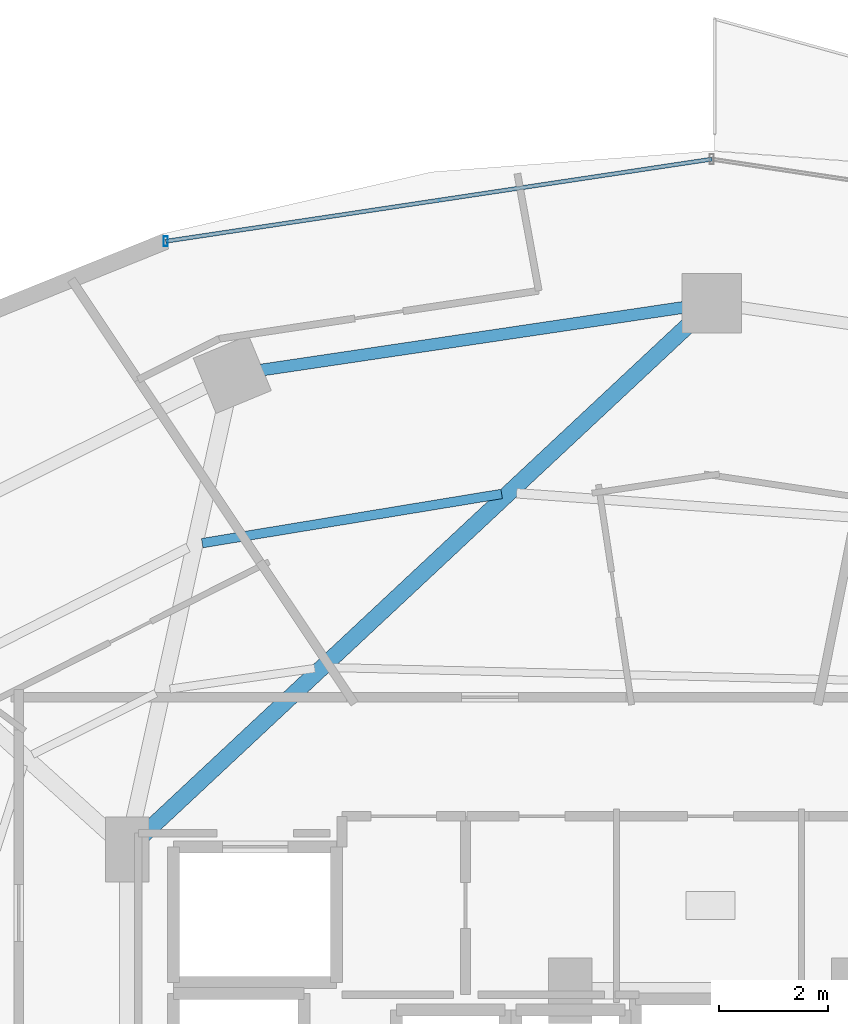
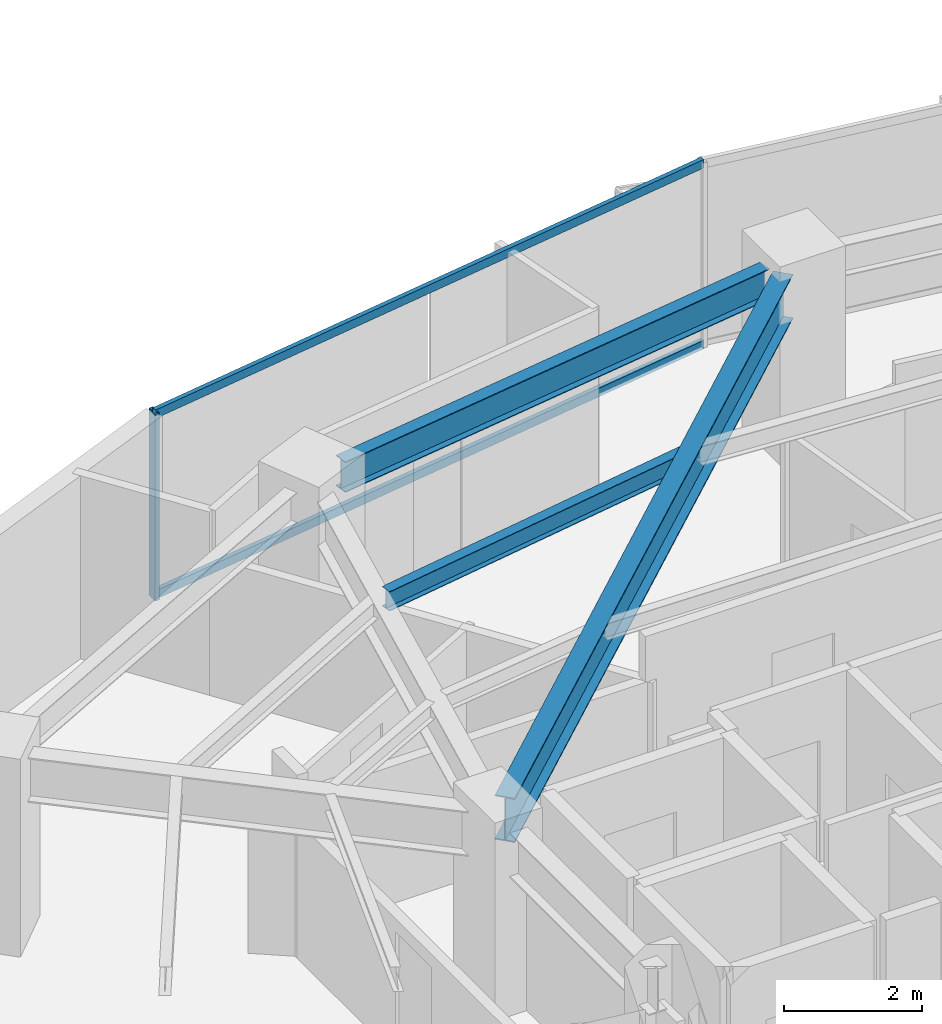
# One storey, part 18 of 29: 3 beams, 3 members, 1 element without a shape of its own.
"""IFC4 building model written with IfcOpenShell, lengths in metres."""

from ifc_helpers import new_model, si_unit, direction, frame, origin, origin_2d, place, context, subcontext, project, spatial, hollow_rectangle, i_section, extrude, material, material_profile, profile_set, type_object, element, aggregate, save


model = new_model("IFC4")

# Units and contexts
model_context = context("Model", 3, precision=1e-05, world=origin(), true_north=direction((0.0, 1.0)))
body_context = subcontext(model_context, "Body", "Model", "MODEL_VIEW")
ifc_project = project(units=[si_unit("LENGTHUNIT", "METRE"), si_unit("AREAUNIT", "SQUARE_METRE"), si_unit("VOLUMEUNIT", "CUBIC_METRE"), si_unit("PLANEANGLEUNIT", "RADIAN"), si_unit("MASSUNIT", "GRAM", prefix="KILO")], contexts=[model_context])

# Site, building, storey
site_placement = place(None, origin())
site = spatial("IfcSite", under=ifc_project, at=site_placement, CompositionType="ELEMENT")
building_placement = place(site_placement, origin())
building = spatial("IfcBuilding", under=site, at=building_placement, Name="Vorneva Point Tower", CompositionType="ELEMENT")
storey_placement = place(building_placement, frame((0.0, 0.0, 82.300048828125)))
storey = spatial("IfcBuildingStorey", under=building, at=storey_placement, Name="L21", CompositionType="ELEMENT", Elevation=82.300048828125)

# Beams
ifc_material_1 = material(Name="Steel S355", Category="steel")
ifc_material_profile_1 = material_profile(ifc_material_1, i_section(OverallWidth=0.300048828125, OverallDepth=0.7880859375, WebThickness=0.014404296875, FlangeThickness=0.02197265625, at=origin_2d()), Name="80Sh1")
ifc_profile_set_1 = profile_set([ifc_material_profile_1], Name="Steel S355")
beam_type_1 = type_object("IfcBeamType", Name="BM-GRD-80Sh1", PredefinedType="USERDEFINED", material=ifc_profile_set_1)
beam_1_placement = place(storey_placement, frame((37.60693359375, 42.83251953125, 2.845947265625), z_axis=(-0.730488863256, -0.682924608327, 0.0), x_axis=(0.682924608327, -0.730488863256, 0.0)))
element("IfcBeam", 1, at=beam_1_placement, inside=storey, type_object=beam_type_1, Name="L21 Radial Primary Girder 05", ObjectType="GIRDER", PredefinedType="USERDEFINED", context=body_context, shape_type="SweptSolid", body=[
    extrude(i_section(OverallWidth=0.300048828125, OverallDepth=0.7880859375, WebThickness=0.014404296875, FlangeThickness=0.02197265625, at=origin_2d()), origin(), (0.0, 0.0, 1.0), 13.838134765625),
])
ifc_material_profile_2 = material_profile(ifc_material_1, i_section(OverallWidth=0.174072265625, OverallDepth=0.345947265625, WebThickness=0.006103515625, FlangeThickness=0.009033203125, at=origin_2d()), Name="35B1")
ifc_profile_set_2 = profile_set([ifc_material_profile_2], Name="Steel S355")
beam_type_2 = type_object("IfcBeamType", Name="BM-SEC-35B1", PredefinedType="BEAM", material=ifc_profile_set_2)
beam_2_placement = place(storey_placement, frame((34.135009765625, 39.691650390625, 3.06689453125), z_axis=(-0.986762474115, -0.162172191443, 0.0), x_axis=(0.162172191443, -0.986762474115, 0.0)))
element("IfcBeam", 2, at=beam_2_placement, inside=storey, type_object=beam_type_2, Name="L21 Secondary Floor Beam 1.05", PredefinedType="BEAM", context=body_context, shape_type="SweptSolid", body=[
    extrude(i_section(OverallWidth=0.174072265625, OverallDepth=0.345947265625, WebThickness=0.006103515625, FlangeThickness=0.009033203125, at=origin_2d()), origin(), (0.0, 0.0, 1.0), 5.583740234375),
])
ifc_material_profile_3 = material_profile(ifc_material_1, i_section(OverallWidth=0.219970703125, OverallDepth=0.54296875, WebThickness=0.009521484375, FlangeThickness=0.013427734375, at=origin_2d()), Name="55B1")
ifc_profile_set_3 = profile_set([ifc_material_profile_3], Name="Steel S355")
beam_type_3 = type_object("IfcBeamType", Name="BM-SPN-55B1", PredefinedType="SPANDREL", material=ifc_profile_set_3)
beam_3_placement = place(storey_placement, frame((37.470703125, 43.121337890625, 2.968505859375), z_axis=(-0.989164507783, -0.146811363806, 0.0), x_axis=(0.146811363806, -0.989164507783, 0.0)))
element("IfcBeam", 3, at=beam_3_placement, inside=storey, type_object=beam_type_3, Name="L21 Perimeter Spandrel Ring Beam 05", PredefinedType="SPANDREL", context=body_context, shape_type="SweptSolid", body=[
    extrude(i_section(OverallWidth=0.219970703125, OverallDepth=0.54296875, WebThickness=0.009521484375, FlangeThickness=0.013427734375, at=origin_2d()), origin(), (0.0, 0.0, 1.0), 7.847412109375),
])

# Curtain wall, members
ifc_material_2 = material(Name="Pale anodised aluminium", Category="aluminium")
curtain_wall_type = type_object("IfcCurtainWallType", Name="CW-HTL-SYS", PredefinedType="NOTDEFINED", material=ifc_material_2)
curtain_wall_placement = place(storey_placement, origin())
curtain_wall = element("IfcCurtainWall", 4, at=curtain_wall_placement, inside=storey, type_object=curtain_wall_type, Name="L21 Unitised Curtain Wall CW-L21-R01", PredefinedType="NOTDEFINED")
ifc_material_profile_4 = material_profile(ifc_material_2, hollow_rectangle(XDim=0.074951171875, YDim=0.179931640625, WallThickness=0.00390625, at=origin_2d()), Name="AL-MUL 180x75x4")
ifc_profile_set_4 = profile_set([ifc_material_profile_4], Name="Pale anodised aluminium")
member_type_1 = type_object("IfcMemberType", Name="CW-MUL-180", PredefinedType="MULLION", material=ifc_profile_set_4)
member_1_placement = place(storey_placement, frame((27.95458984375, 44.339111328125, -0.0400390625), z_axis=(0.0, 0.0, 1.0), x_axis=(1.0, 0.0, 0.0)))
member_1 = element("IfcMember", 5, at=member_1_placement, type_object=member_type_1, Name="CW-L21-R01 Mullion 05", PredefinedType="MULLION", context=body_context, shape_type="SweptSolid", body=[
    extrude(hollow_rectangle(XDim=0.074951171875, YDim=0.179931640625, WallThickness=0.00390625, at=origin_2d()), origin(), (0.0, 0.0, 1.0), 3.31005859375),
])
ifc_material_profile_5 = material_profile(ifc_material_2, hollow_rectangle(XDim=0.074951171875, YDim=0.14990234375, WallThickness=0.00390625, at=origin_2d()), Name="AL-TRN 150x75x4")
ifc_profile_set_5 = profile_set([ifc_material_profile_5], Name="Pale anodised aluminium")
member_type_2 = type_object("IfcMemberType", Name="CW-TRN-150", PredefinedType="USERDEFINED", material=ifc_profile_set_5)
member_2_placement = place(storey_placement, frame((38.0, 45.85009765625, 0.02001953125), z_axis=(-0.988875982167, -0.148742367512, 0.0), x_axis=(0.148742367512, -0.988875982167, 0.0)))
member_2 = element("IfcMember", 6, at=member_2_placement, type_object=member_type_2, Name="CW-L21-R01 Transom 04.1", ObjectType="TRANSOM", PredefinedType="USERDEFINED", context=body_context, shape_type="SweptSolid", body=[
    extrude(hollow_rectangle(XDim=0.074951171875, YDim=0.14990234375, WallThickness=0.00390625, at=origin_2d()), origin(), (0.0, 0.0, 1.0), 10.158447265625),
])
member_3_placement = place(storey_placement, frame((38.0, 45.85009765625, 3.219970703125), z_axis=(-0.988875982167, -0.148742367512, 0.0), x_axis=(0.148742367512, -0.988875982167, 0.0)))
member_3 = element("IfcMember", 7, at=member_3_placement, type_object=member_type_2, Name="CW-L21-R01 Transom 04.2", ObjectType="TRANSOM", PredefinedType="USERDEFINED", context=body_context, shape_type="SweptSolid", body=[
    extrude(hollow_rectangle(XDim=0.074951171875, YDim=0.14990234375, WallThickness=0.00390625, at=origin_2d()), origin(), (0.0, 0.0, 1.0), 10.158447265625),
])
aggregate(curtain_wall, [member_1, member_2, member_3])

save(model, "model.ifc")
